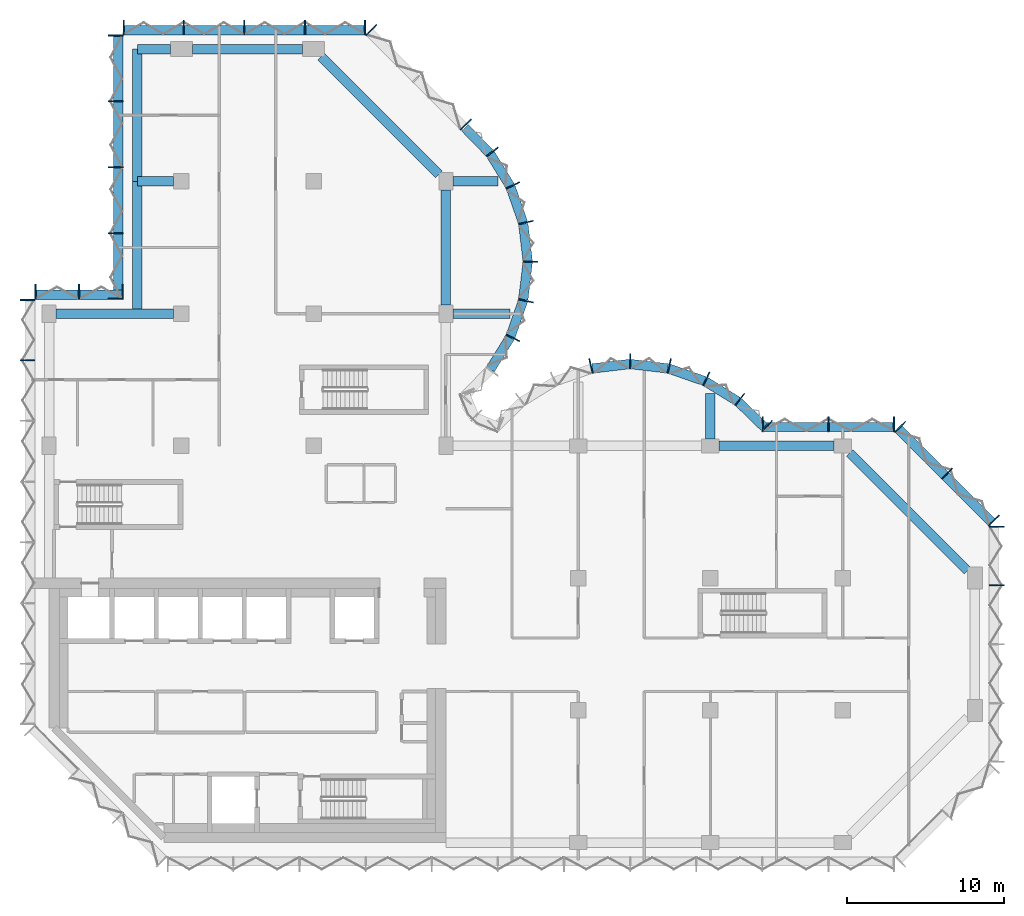
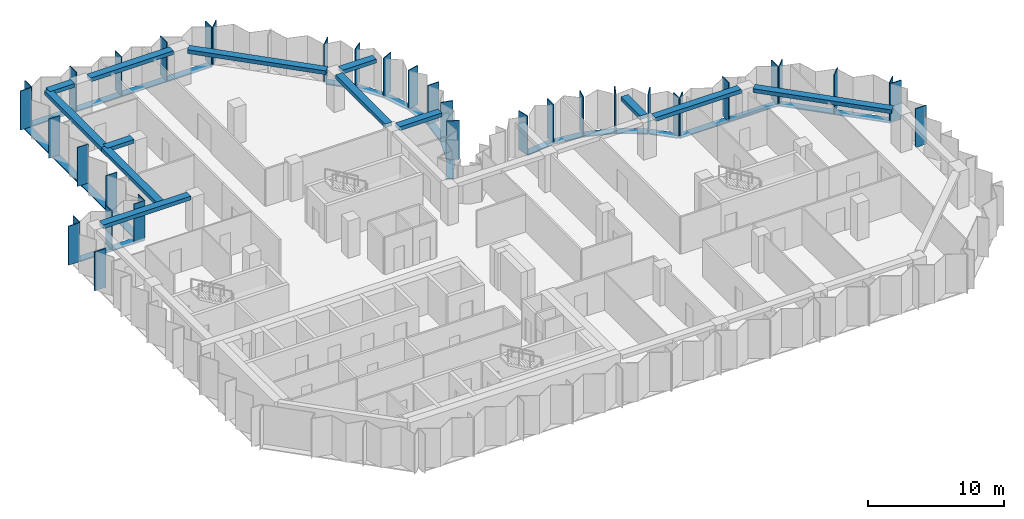
# One storey, part 2 of 10: 54 members, 13 beams, 10 elements without a shape of their own.
"""IFC4 building model written with IfcOpenShell, lengths in metres."""

from ifc_helpers import new_model, si_unit, direction, frame, origin, origin_2d, place, context, subcontext, project, spatial, rectangle, extrude, material, material_profile, profile_set, type_object, element, aggregate, save


model = new_model("IFC4")

# Units and contexts
model_context = context("Model", 3, precision=1e-05, world=origin(), true_north=direction((0.0, 1.0)))
body_context = subcontext(model_context, "Body", "Model", "MODEL_VIEW")
ifc_project = project(units=[si_unit("LENGTHUNIT", "METRE"), si_unit("AREAUNIT", "SQUARE_METRE"), si_unit("VOLUMEUNIT", "CUBIC_METRE"), si_unit("PLANEANGLEUNIT", "RADIAN"), si_unit("MASSUNIT", "GRAM", prefix="KILO")], contexts=[model_context])

# Site, building, storey
site_placement = place(None, origin())
site = spatial("IfcSite", under=ifc_project, at=site_placement, CompositionType="ELEMENT")
building_placement = place(site_placement, origin())
building = spatial("IfcBuilding", under=site, at=building_placement, Name="Brevane Broadcast Tower", CompositionType="ELEMENT")
storey_placement = place(building_placement, frame((0.0, 0.0, 174.0)))
storey = spatial("IfcBuildingStorey", under=building, at=storey_placement, Name="L43", CompositionType="ELEMENT", Elevation=174.0)

# Curtain wall, members
ifc_material_1 = material(Name="Aluminium 6063-T6 bronze anodised", Category="aluminium")
curtain_wall_type = type_object("IfcCurtainWallType", Name="CW-1 curtain wall", PredefinedType="NOTDEFINED", material=ifc_material_1)
curtain_wall_1_placement = place(storey_placement, origin())
curtain_wall_1 = element("IfcCurtainWall", 1, at=curtain_wall_1_placement, inside=storey, type_object=curtain_wall_type, Name="CW-1 typical tilted unit L43 east end", PredefinedType="NOTDEFINED")
ifc_material_profile_1 = material_profile(ifc_material_1, rectangle(XDim=0.949951171875, YDim=0.070068359375, at=origin_2d()), Name="RECT 70x950")
ifc_profile_set_1 = profile_set([ifc_material_profile_1], Name="Aluminium 6063-T6 bronze anodised")
member_type_1 = type_object("IfcMemberType", Name="CW-1 mullion 70x950", PredefinedType="MULLION", material=ifc_profile_set_1)
member_1_placement = place(storey_placement, frame((60.175048828125, 16.35009765625, -0.14990234375), z_axis=(0.0, 0.0, 1.0), x_axis=(-1.0, 0.0, 0.0)))
member_1 = element("IfcMember", 2, at=member_1_placement, type_object=member_type_1, Name="CW-1 mullion", PredefinedType="MULLION", context=body_context, shape_type="SweptSolid", body=[
    extrude(rectangle(XDim=0.949951171875, YDim=0.070068359375, at=origin_2d()), origin(), (0.0, 0.0, 1.0), 3.5),
])
member_2_placement = place(storey_placement, frame((60.175048828125, 20.06494140625, -0.14990234375), z_axis=(0.0, 0.0, 1.0), x_axis=(-1.0, 0.0, 0.0)))
member_2 = element("IfcMember", 3, at=member_2_placement, type_object=member_type_1, Name="CW-1 mullion", PredefinedType="MULLION", context=body_context, shape_type="SweptSolid", body=[
    extrude(rectangle(XDim=0.949951171875, YDim=0.070068359375, at=origin_2d()), origin(), (0.0, 0.0, 1.0), 3.5),
])
aggregate(curtain_wall_1, [member_1, member_2])

curtain_wall_2_placement = place(storey_placement, origin())
curtain_wall_2 = element("IfcCurtainWall", 4, at=curtain_wall_2_placement, inside=storey, type_object=curtain_wall_type, Name="CW-1 typical tilted unit L43 north-east chamfer", PredefinedType="NOTDEFINED")
member_3_placement = place(storey_placement, frame((60.01123046875, 20.460693359375, -0.14990234375), z_axis=(0.0, 0.0, 1.0), x_axis=(-0.707106781187, -0.707106781187, 0.0)))
member_3 = element("IfcMember", 5, at=member_3_placement, type_object=member_type_1, Name="CW-1 mullion", PredefinedType="MULLION", context=body_context, shape_type="SweptSolid", body=[
    extrude(rectangle(XDim=0.949951171875, YDim=0.070068359375, at=origin_2d()), origin(), (0.0, 0.0, 1.0), 3.5),
])
member_4_placement = place(storey_placement, frame((57.035888671875, 23.435791015625, -0.14990234375), z_axis=(0.0, 0.0, 1.0), x_axis=(-0.707106781187, -0.707106781187, 0.0)))
member_4 = element("IfcMember", 6, at=member_4_placement, type_object=member_type_1, Name="CW-1 mullion", PredefinedType="MULLION", context=body_context, shape_type="SweptSolid", body=[
    extrude(rectangle(XDim=0.949951171875, YDim=0.070068359375, at=origin_2d()), origin(), (0.0, 0.0, 1.0), 3.5),
])
member_5_placement = place(storey_placement, frame((54.060546875, 26.4111328125, -0.14990234375), z_axis=(0.0, 0.0, 1.0), x_axis=(-0.707106781187, -0.707106781187, 0.0)))
member_5 = element("IfcMember", 7, at=member_5_placement, type_object=member_type_1, Name="CW-1 mullion", PredefinedType="MULLION", context=body_context, shape_type="SweptSolid", body=[
    extrude(rectangle(XDim=0.949951171875, YDim=0.070068359375, at=origin_2d()), origin(), (0.0, 0.0, 1.0), 3.5),
])

curtain_wall_3_placement = place(storey_placement, origin())
curtain_wall_3 = element("IfcCurtainWall", 8, at=curtain_wall_3_placement, inside=storey, type_object=curtain_wall_type, Name="CW-1 typical tilted unit L43 east arm north face", PredefinedType="NOTDEFINED")
member_6_placement = place(storey_placement, frame((53.6650390625, 26.574951171875, -0.14990234375), z_axis=(0.0, 0.0, 1.0), x_axis=(0.0, -1.0, 0.0)))
member_6 = element("IfcMember", 9, at=member_6_placement, type_object=member_type_1, Name="CW-1 mullion", PredefinedType="MULLION", context=body_context, shape_type="SweptSolid", body=[
    extrude(rectangle(XDim=0.949951171875, YDim=0.070068359375, at=origin_2d()), origin(), (0.0, 0.0, 1.0), 3.5),
])
member_7_placement = place(storey_placement, frame((49.5, 26.574951171875, -0.14990234375), z_axis=(0.0, 0.0, 1.0), x_axis=(0.0, -1.0, 0.0)))
member_7 = element("IfcMember", 10, at=member_7_placement, type_object=member_type_1, Name="CW-1 mullion", PredefinedType="MULLION", context=body_context, shape_type="SweptSolid", body=[
    extrude(rectangle(XDim=0.949951171875, YDim=0.070068359375, at=origin_2d()), origin(), (0.0, 0.0, 1.0), 3.5),
])
member_8_placement = place(storey_placement, frame((45.3349609375, 26.574951171875, -0.14990234375), z_axis=(0.0, 0.0, 1.0), x_axis=(0.0, -1.0, 0.0)))
member_8 = element("IfcMember", 11, at=member_8_placement, type_object=member_type_1, Name="CW-1 mullion", PredefinedType="MULLION", context=body_context, shape_type="SweptSolid", body=[
    extrude(rectangle(XDim=0.949951171875, YDim=0.070068359375, at=origin_2d()), origin(), (0.0, 0.0, 1.0), 3.5),
])

curtain_wall_4_placement = place(storey_placement, origin())
curtain_wall_4 = element("IfcCurtainWall", 12, at=curtain_wall_4_placement, inside=storey, type_object=curtain_wall_type, Name="CW-1 typical tilted unit L43 east bow", PredefinedType="NOTDEFINED")
member_9_placement = place(storey_placement, frame((45.60595703125, 26.465087890625, -0.14990234375), z_axis=(0.0, 0.0, 1.0), x_axis=(-0.696812089895, -0.717253728729, 0.0)))
member_9 = element("IfcMember", 13, at=member_9_placement, type_object=member_type_1, Name="CW-1 mullion", PredefinedType="MULLION", context=body_context, shape_type="SweptSolid", body=[
    extrude(rectangle(XDim=0.949951171875, YDim=0.070068359375, at=origin_2d()), origin(), (0.0, 0.0, 1.0), 3.5),
])
member_10_placement = place(storey_placement, frame((43.8720703125, 28.1455078125, -0.14990234375), z_axis=(0.0, 0.0, 1.0), x_axis=(-0.614769698862, -0.788706673841, 0.0)))
member_10 = element("IfcMember", 14, at=member_10_placement, type_object=member_type_1, Name="CW-1 mullion", PredefinedType="MULLION", context=body_context, shape_type="SweptSolid", body=[
    extrude(rectangle(XDim=0.949951171875, YDim=0.070068359375, at=origin_2d()), origin(), (0.0, 0.0, 1.0), 3.5),
])
member_11_placement = place(storey_placement, frame((41.746826171875, 29.4580078125, -0.14990234375), z_axis=(0.0, 0.0, 1.0), x_axis=(-0.429933580394, -0.902860518823, 0.0)))
member_11 = element("IfcMember", 15, at=member_11_placement, type_object=member_type_1, Name="CW-1 mullion", PredefinedType="MULLION", context=body_context, shape_type="SweptSolid", body=[
    extrude(rectangle(XDim=0.949951171875, YDim=0.070068359375, at=origin_2d()), origin(), (0.0, 0.0, 1.0), 3.5),
])
member_12_placement = place(storey_placement, frame((39.38818359375, 30.28076171875, -0.14990234375), z_axis=(0.0, 0.0, 1.0), x_axis=(-0.224806535479, -0.974403418306, 0.0)))
member_12 = element("IfcMember", 16, at=member_12_placement, type_object=member_type_1, Name="CW-1 mullion", PredefinedType="MULLION", context=body_context, shape_type="SweptSolid", body=[
    extrude(rectangle(XDim=0.949951171875, YDim=0.070068359375, at=origin_2d()), origin(), (0.0, 0.0, 1.0), 3.5),
])
member_13_placement = place(storey_placement, frame((36.89990234375, 30.574951171875, -0.14990234375), z_axis=(0.0, 0.0, 1.0), x_axis=(0.0, -1.0, 0.0)))
member_13 = element("IfcMember", 17, at=member_13_placement, type_object=member_type_1, Name="CW-1 mullion", PredefinedType="MULLION", context=body_context, shape_type="SweptSolid", body=[
    extrude(rectangle(XDim=0.949951171875, YDim=0.070068359375, at=origin_2d()), origin(), (0.0, 0.0, 1.0), 3.5),
])
member_14_placement = place(storey_placement, frame((34.411865234375, 30.28076171875, -0.14990234375), z_axis=(0.0, 0.0, 1.0), x_axis=(0.224806535479, -0.974403418306, 0.0)))
member_14 = element("IfcMember", 18, at=member_14_placement, type_object=member_type_1, Name="CW-1 mullion", PredefinedType="MULLION", context=body_context, shape_type="SweptSolid", body=[
    extrude(rectangle(XDim=0.949951171875, YDim=0.070068359375, at=origin_2d()), origin(), (0.0, 0.0, 1.0), 3.5),
])

curtain_wall_5_placement = place(storey_placement, origin())
curtain_wall_5 = element("IfcCurtainWall", 19, at=curtain_wall_5_placement, inside=storey, type_object=curtain_wall_type, Name="CW-1 typical tilted unit L43 north bow", PredefinedType="NOTDEFINED")
member_15_placement = place(storey_placement, frame((29.4580078125, 32.05322265625, -0.14990234375), z_axis=(0.0, 0.0, 1.0), x_axis=(-0.902860518823, 0.429933580394, 0.0)))
member_15 = element("IfcMember", 20, at=member_15_placement, type_object=member_type_1, Name="CW-1 mullion", PredefinedType="MULLION", context=body_context, shape_type="SweptSolid", body=[
    extrude(rectangle(XDim=0.949951171875, YDim=0.070068359375, at=origin_2d()), origin(), (0.0, 0.0, 1.0), 3.5),
])
member_16_placement = place(storey_placement, frame((30.28076171875, 34.411865234375, -0.14990234375), z_axis=(0.0, 0.0, 1.0), x_axis=(-0.974403418306, 0.224806535479, 0.0)))
member_16 = element("IfcMember", 21, at=member_16_placement, type_object=member_type_1, Name="CW-1 mullion", PredefinedType="MULLION", context=body_context, shape_type="SweptSolid", body=[
    extrude(rectangle(XDim=0.949951171875, YDim=0.070068359375, at=origin_2d()), origin(), (0.0, 0.0, 1.0), 3.5),
])
member_17_placement = place(storey_placement, frame((30.574951171875, 36.89990234375, -0.14990234375), z_axis=(0.0, 0.0, 1.0), x_axis=(-1.0, 0.0, 0.0)))
member_17 = element("IfcMember", 22, at=member_17_placement, type_object=member_type_1, Name="CW-1 mullion", PredefinedType="MULLION", context=body_context, shape_type="SweptSolid", body=[
    extrude(rectangle(XDim=0.949951171875, YDim=0.070068359375, at=origin_2d()), origin(), (0.0, 0.0, 1.0), 3.5),
])
member_18_placement = place(storey_placement, frame((30.28076171875, 39.38818359375, -0.14990234375), z_axis=(0.0, 0.0, 1.0), x_axis=(-0.974403418306, -0.224806535479, 0.0)))
member_18 = element("IfcMember", 23, at=member_18_placement, type_object=member_type_1, Name="CW-1 mullion", PredefinedType="MULLION", context=body_context, shape_type="SweptSolid", body=[
    extrude(rectangle(XDim=0.949951171875, YDim=0.070068359375, at=origin_2d()), origin(), (0.0, 0.0, 1.0), 3.5),
])
member_19_placement = place(storey_placement, frame((29.4580078125, 41.746826171875, -0.14990234375), z_axis=(0.0, 0.0, 1.0), x_axis=(-0.902860518823, -0.429933580394, 0.0)))
member_19 = element("IfcMember", 24, at=member_19_placement, type_object=member_type_1, Name="CW-1 mullion", PredefinedType="MULLION", context=body_context, shape_type="SweptSolid", body=[
    extrude(rectangle(XDim=0.949951171875, YDim=0.070068359375, at=origin_2d()), origin(), (0.0, 0.0, 1.0), 3.5),
])
member_20_placement = place(storey_placement, frame((28.1455078125, 43.8720703125, -0.14990234375), z_axis=(0.0, 0.0, 1.0), x_axis=(-0.788706673841, -0.614769698862, 0.0)))
member_20 = element("IfcMember", 25, at=member_20_placement, type_object=member_type_1, Name="CW-1 mullion", PredefinedType="MULLION", context=body_context, shape_type="SweptSolid", body=[
    extrude(rectangle(XDim=0.949951171875, YDim=0.070068359375, at=origin_2d()), origin(), (0.0, 0.0, 1.0), 3.5),
])
member_21_placement = place(storey_placement, frame((26.465087890625, 45.60595703125, -0.14990234375), z_axis=(0.0, 0.0, 1.0), x_axis=(-0.717253728729, -0.696812089895, 0.0)))
member_21 = element("IfcMember", 26, at=member_21_placement, type_object=member_type_1, Name="CW-1 mullion", PredefinedType="MULLION", context=body_context, shape_type="SweptSolid", body=[
    extrude(rectangle(XDim=0.949951171875, YDim=0.070068359375, at=origin_2d()), origin(), (0.0, 0.0, 1.0), 3.5),
])

# Curtain wall, member
curtain_wall_6_placement = place(storey_placement, origin())
curtain_wall_6 = element("IfcCurtainWall", 27, at=curtain_wall_6_placement, inside=storey, type_object=curtain_wall_type, Name="CW-1 typical tilted unit L43 north arm north-east chamfer", PredefinedType="NOTDEFINED")
member_22_placement = place(storey_placement, frame((20.460693359375, 51.611083984375, -0.14990234375), z_axis=(0.0, 0.0, 1.0), x_axis=(-0.707106781187, -0.707106781187, 0.0)))
member_22 = element("IfcMember", 28, at=member_22_placement, type_object=member_type_1, Name="CW-1 mullion", PredefinedType="MULLION", context=body_context, shape_type="SweptSolid", body=[
    extrude(rectangle(XDim=0.949951171875, YDim=0.070068359375, at=origin_2d()), origin(), (0.0, 0.0, 1.0), 3.5),
])
aggregate(curtain_wall_6, [member_22])

# Curtain wall, members
curtain_wall_7_placement = place(storey_placement, origin())
curtain_wall_7 = element("IfcCurtainWall", 29, at=curtain_wall_7_placement, inside=storey, type_object=curtain_wall_type, Name="CW-1 typical tilted unit L43 north end", PredefinedType="NOTDEFINED")
member_23_placement = place(storey_placement, frame((20.06494140625, 51.77490234375, -0.14990234375), z_axis=(0.0, 0.0, 1.0), x_axis=(0.0, -1.0, 0.0)))
member_23 = element("IfcMember", 30, at=member_23_placement, type_object=member_type_1, Name="CW-1 mullion", PredefinedType="MULLION", context=body_context, shape_type="SweptSolid", body=[
    extrude(rectangle(XDim=0.949951171875, YDim=0.070068359375, at=origin_2d()), origin(), (0.0, 0.0, 1.0), 3.5),
])
member_24_placement = place(storey_placement, frame((16.25, 51.77490234375, -0.14990234375), z_axis=(0.0, 0.0, 1.0), x_axis=(0.0, -1.0, 0.0)))
member_24 = element("IfcMember", 31, at=member_24_placement, type_object=member_type_1, Name="CW-1 mullion", PredefinedType="MULLION", context=body_context, shape_type="SweptSolid", body=[
    extrude(rectangle(XDim=0.949951171875, YDim=0.070068359375, at=origin_2d()), origin(), (0.0, 0.0, 1.0), 3.5),
])
member_25_placement = place(storey_placement, frame((12.39990234375, 51.77490234375, -0.14990234375), z_axis=(0.0, 0.0, 1.0), x_axis=(0.0, -1.0, 0.0)))
member_25 = element("IfcMember", 32, at=member_25_placement, type_object=member_type_1, Name="CW-1 mullion", PredefinedType="MULLION", context=body_context, shape_type="SweptSolid", body=[
    extrude(rectangle(XDim=0.949951171875, YDim=0.070068359375, at=origin_2d()), origin(), (0.0, 0.0, 1.0), 3.5),
])
member_26_placement = place(storey_placement, frame((8.550048828125, 51.77490234375, -0.14990234375), z_axis=(0.0, 0.0, 1.0), x_axis=(0.0, -1.0, 0.0)))
member_26 = element("IfcMember", 33, at=member_26_placement, type_object=member_type_1, Name="CW-1 mullion", PredefinedType="MULLION", context=body_context, shape_type="SweptSolid", body=[
    extrude(rectangle(XDim=0.949951171875, YDim=0.070068359375, at=origin_2d()), origin(), (0.0, 0.0, 1.0), 3.5),
])
member_27_placement = place(storey_placement, frame((4.735107421875, 51.77490234375, -0.14990234375), z_axis=(0.0, 0.0, 1.0), x_axis=(0.0, -1.0, 0.0)))
member_27 = element("IfcMember", 34, at=member_27_placement, type_object=member_type_1, Name="CW-1 mullion", PredefinedType="MULLION", context=body_context, shape_type="SweptSolid", body=[
    extrude(rectangle(XDim=0.949951171875, YDim=0.070068359375, at=origin_2d()), origin(), (0.0, 0.0, 1.0), 3.5),
])

curtain_wall_8_placement = place(storey_placement, origin())
curtain_wall_8 = element("IfcCurtainWall", 35, at=curtain_wall_8_placement, inside=storey, type_object=curtain_wall_type, Name="CW-1 typical tilted unit L43 north wing west face, lower block", PredefinedType="NOTDEFINED")
member_28_placement = place(storey_placement, frame((4.22509765625, 51.264892578125, -0.14990234375), z_axis=(0.0, 0.0, 1.0), x_axis=(1.0, 0.0, 0.0)))
member_28 = element("IfcMember", 36, at=member_28_placement, type_object=member_type_1, Name="CW-1 mullion", PredefinedType="MULLION", context=body_context, shape_type="SweptSolid", body=[
    extrude(rectangle(XDim=0.949951171875, YDim=0.070068359375, at=origin_2d()), origin(), (0.0, 0.0, 1.0), 3.5),
])
member_29_placement = place(storey_placement, frame((4.22509765625, 47.10009765625, -0.14990234375), z_axis=(0.0, 0.0, 1.0), x_axis=(1.0, 0.0, 0.0)))
member_29 = element("IfcMember", 37, at=member_29_placement, type_object=member_type_1, Name="CW-1 mullion", PredefinedType="MULLION", context=body_context, shape_type="SweptSolid", body=[
    extrude(rectangle(XDim=0.949951171875, YDim=0.070068359375, at=origin_2d()), origin(), (0.0, 0.0, 1.0), 3.5),
])
member_30_placement = place(storey_placement, frame((4.22509765625, 42.89990234375, -0.14990234375), z_axis=(0.0, 0.0, 1.0), x_axis=(1.0, 0.0, 0.0)))
member_30 = element("IfcMember", 38, at=member_30_placement, type_object=member_type_1, Name="CW-1 mullion", PredefinedType="MULLION", context=body_context, shape_type="SweptSolid", body=[
    extrude(rectangle(XDim=0.949951171875, YDim=0.070068359375, at=origin_2d()), origin(), (0.0, 0.0, 1.0), 3.5),
])
member_31_placement = place(storey_placement, frame((4.22509765625, 38.699951171875, -0.14990234375), z_axis=(0.0, 0.0, 1.0), x_axis=(1.0, 0.0, 0.0)))
member_31 = element("IfcMember", 39, at=member_31_placement, type_object=member_type_1, Name="CW-1 mullion", PredefinedType="MULLION", context=body_context, shape_type="SweptSolid", body=[
    extrude(rectangle(XDim=0.949951171875, YDim=0.070068359375, at=origin_2d()), origin(), (0.0, 0.0, 1.0), 3.5),
])
member_32_placement = place(storey_placement, frame((4.22509765625, 34.534912109375, -0.14990234375), z_axis=(0.0, 0.0, 1.0), x_axis=(1.0, 0.0, 0.0)))
member_32 = element("IfcMember", 40, at=member_32_placement, type_object=member_type_1, Name="CW-1 mullion", PredefinedType="MULLION", context=body_context, shape_type="SweptSolid", body=[
    extrude(rectangle(XDim=0.949951171875, YDim=0.070068359375, at=origin_2d()), origin(), (0.0, 0.0, 1.0), 3.5),
])

curtain_wall_9_placement = place(storey_placement, origin())
curtain_wall_9 = element("IfcCurtainWall", 41, at=curtain_wall_9_placement, inside=storey, type_object=curtain_wall_type, Name="CW-1 typical tilted unit L43 north wing west return, lower block", PredefinedType="NOTDEFINED")
member_33_placement = place(storey_placement, frame((4.6650390625, 34.97509765625, -0.14990234375), z_axis=(0.0, 0.0, 1.0), x_axis=(0.0, -1.0, 0.0)))
member_33 = element("IfcMember", 42, at=member_33_placement, type_object=member_type_1, Name="CW-1 mullion", PredefinedType="MULLION", context=body_context, shape_type="SweptSolid", body=[
    extrude(rectangle(XDim=0.949951171875, YDim=0.070068359375, at=origin_2d()), origin(), (0.0, 0.0, 1.0), 3.5),
])
member_34_placement = place(storey_placement, frame((1.89990234375, 34.97509765625, -0.14990234375), z_axis=(0.0, 0.0, 1.0), x_axis=(0.0, -1.0, 0.0)))
member_34 = element("IfcMember", 43, at=member_34_placement, type_object=member_type_1, Name="CW-1 mullion", PredefinedType="MULLION", context=body_context, shape_type="SweptSolid", body=[
    extrude(rectangle(XDim=0.949951171875, YDim=0.070068359375, at=origin_2d()), origin(), (0.0, 0.0, 1.0), 3.5),
])
member_35_placement = place(storey_placement, frame((-0.864990234375, 34.97509765625, -0.14990234375), z_axis=(0.0, 0.0, 1.0), x_axis=(0.0, -1.0, 0.0)))
member_35 = element("IfcMember", 44, at=member_35_placement, type_object=member_type_1, Name="CW-1 mullion", PredefinedType="MULLION", context=body_context, shape_type="SweptSolid", body=[
    extrude(rectangle(XDim=0.949951171875, YDim=0.070068359375, at=origin_2d()), origin(), (0.0, 0.0, 1.0), 3.5),
])

curtain_wall_10_placement = place(storey_placement, origin())
curtain_wall_10 = element("IfcCurtainWall", 45, at=curtain_wall_10_placement, inside=storey, type_object=curtain_wall_type, Name="CW-1 typical tilted unit L43 west face", PredefinedType="NOTDEFINED")
member_36_placement = place(storey_placement, frame((-1.375, 34.465087890625, -0.14990234375), z_axis=(0.0, 0.0, 1.0), x_axis=(1.0, 0.0, 0.0)))
member_36 = element("IfcMember", 46, at=member_36_placement, type_object=member_type_1, Name="CW-1 mullion", PredefinedType="MULLION", context=body_context, shape_type="SweptSolid", body=[
    extrude(rectangle(XDim=0.949951171875, YDim=0.070068359375, at=origin_2d()), origin(), (0.0, 0.0, 1.0), 3.5),
])
member_37_placement = place(storey_placement, frame((-1.375, 30.642822265625, -0.14990234375), z_axis=(0.0, 0.0, 1.0), x_axis=(1.0, 0.0, 0.0)))
member_37 = element("IfcMember", 47, at=member_37_placement, type_object=member_type_1, Name="CW-1 mullion", PredefinedType="MULLION", context=body_context, shape_type="SweptSolid", body=[
    extrude(rectangle(XDim=0.949951171875, YDim=0.070068359375, at=origin_2d()), origin(), (0.0, 0.0, 1.0), 3.5),
])
aggregate(curtain_wall_10, [member_36, member_37])

# Member
ifc_material_profile_2 = material_profile(ifc_material_1, rectangle(XDim=0.60009765625, YDim=0.10009765625, at=origin_2d()), Name="RECT 100x600")
ifc_profile_set_2 = profile_set([ifc_material_profile_2], Name="Aluminium 6063-T6 bronze anodised")
member_type_2 = type_object("IfcMemberType", Name="CW-1 transom 100x600", PredefinedType="USERDEFINED", material=ifc_profile_set_2)
member_38_placement = place(storey_placement, frame((59.912109375, 20.31201171875, -0.199951171875), z_axis=(-0.707106781187, 0.707106781187, 0.0), x_axis=(-0.707106781187, -0.707106781187, 0.0)))
member_38 = element("IfcMember", 48, at=member_38_placement, type_object=member_type_2, Name="CW-1 transom", ObjectType="TRANSOM", PredefinedType="USERDEFINED", context=body_context, shape_type="SweptSolid", body=[
    extrude(rectangle(XDim=0.60009765625, YDim=0.10009765625, at=origin_2d()), origin(), (0.0, 0.0, 1.0), 8.4853515625),
])

aggregate(curtain_wall_2, [member_3, member_4, member_5, member_38])

member_39_placement = place(storey_placement, frame((53.699951171875, 26.39990234375, -0.199951171875), z_axis=(-1.0, 0.0, 0.0), x_axis=(0.0, -1.0, 0.0)))
member_39 = element("IfcMember", 49, at=member_39_placement, type_object=member_type_2, Name="CW-1 transom", ObjectType="TRANSOM", PredefinedType="USERDEFINED", context=body_context, shape_type="SweptSolid", body=[
    extrude(rectangle(XDim=0.60009765625, YDim=0.10009765625, at=origin_2d()), origin(), (0.0, 0.0, 1.0), 8.39990234375),
])

aggregate(curtain_wall_3, [member_6, member_7, member_8, member_39])

member_40_placement = place(storey_placement, frame((45.412841796875, 26.407958984375, -0.199951171875), z_axis=(-0.71724215871, 0.696823999134, 0.0), x_axis=(-0.696823999134, -0.71724215871, 0.0)))
member_40 = element("IfcMember", 50, at=member_40_placement, type_object=member_type_2, Name="CW-1 transom", ObjectType="TRANSOM", PredefinedType="USERDEFINED", context=body_context, shape_type="SweptSolid", body=[
    extrude(rectangle(XDim=0.60009765625, YDim=0.10009765625, at=origin_2d()), origin(), (0.0, 0.0, 1.0), 2.247802734375),
])

member_41_placement = place(storey_placement, frame((43.7421875, 28.023193359375, -0.199951171875), z_axis=(-0.850810063131, 0.525473345162, 0.0), x_axis=(-0.525473345162, -0.850810063131, 0.0)))
member_41 = element("IfcMember", 51, at=member_41_placement, type_object=member_type_2, Name="CW-1 transom", ObjectType="TRANSOM", PredefinedType="USERDEFINED", context=body_context, shape_type="SweptSolid", body=[
    extrude(rectangle(XDim=0.60009765625, YDim=0.10009765625, at=origin_2d()), origin(), (0.0, 0.0, 1.0), 2.39453125),
])

member_42_placement = place(storey_placement, frame((41.63623046875, 29.314208984375, -0.199951171875), z_axis=(-0.944197969542, 0.329378497041, 0.0), x_axis=(-0.329378497041, -0.944197969542, 0.0)))
member_42 = element("IfcMember", 52, at=member_42_placement, type_object=member_type_2, Name="CW-1 transom", ObjectType="TRANSOM", PredefinedType="USERDEFINED", context=body_context, shape_type="SweptSolid", body=[
    extrude(rectangle(XDim=0.60009765625, YDim=0.10009765625, at=origin_2d()), origin(), (0.0, 0.0, 1.0), 2.394775390625),
])

member_43_placement = place(storey_placement, frame((39.30029296875, 30.117431640625, -0.199951171875), z_axis=(-0.993062061831, 0.117591417, 0.0), x_axis=(-0.117591417, -0.993062061831, 0.0)))
member_43 = element("IfcMember", 53, at=member_43_placement, type_object=member_type_2, Name="CW-1 transom", ObjectType="TRANSOM", PredefinedType="USERDEFINED", context=body_context, shape_type="SweptSolid", body=[
    extrude(rectangle(XDim=0.60009765625, YDim=0.10009765625, at=origin_2d()), origin(), (0.0, 0.0, 1.0), 2.39794921875),
])

member_44_placement = place(storey_placement, frame((36.880859375, 30.3994140625, -0.199951171875), z_axis=(-0.993060653805, -0.117603307202, 0.0), x_axis=(0.117603307202, -0.993060653805, 0.0)))
member_44 = element("IfcMember", 54, at=member_44_placement, type_object=member_type_2, Name="CW-1 transom", ObjectType="TRANSOM", PredefinedType="USERDEFINED", context=body_context, shape_type="SweptSolid", body=[
    extrude(rectangle(XDim=0.60009765625, YDim=0.10009765625, at=origin_2d()), origin(), (0.0, 0.0, 1.0), 2.397705078125),
])

aggregate(curtain_wall_4, [member_9, member_10, member_11, member_12, member_13, member_14, member_40, member_41, member_42, member_43, member_44])

member_45_placement = place(storey_placement, frame((28.023193359375, 30.0576171875, -0.199951171875), z_axis=(0.525427766759, 0.850838211365, 0.0), x_axis=(-0.850838211365, 0.525427766759, 0.0)))
member_45 = element("IfcMember", 55, at=member_45_placement, type_object=member_type_2, Name="CW-1 transom", ObjectType="TRANSOM", PredefinedType="USERDEFINED", context=body_context, shape_type="SweptSolid", body=[
    extrude(rectangle(XDim=0.60009765625, YDim=0.10009765625, at=origin_2d()), origin(), (0.0, 0.0, 1.0), 2.394775390625),
])

member_46_placement = place(storey_placement, frame((29.314208984375, 32.163818359375, -0.199951171875), z_axis=(0.329378497041, 0.944197969542, 0.0), x_axis=(-0.944197969542, 0.329378497041, 0.0)))
member_46 = element("IfcMember", 56, at=member_46_placement, type_object=member_type_2, Name="CW-1 transom", ObjectType="TRANSOM", PredefinedType="USERDEFINED", context=body_context, shape_type="SweptSolid", body=[
    extrude(rectangle(XDim=0.60009765625, YDim=0.10009765625, at=origin_2d()), origin(), (0.0, 0.0, 1.0), 2.394775390625),
])

member_47_placement = place(storey_placement, frame((30.117431640625, 34.499755859375, -0.199951171875), z_axis=(0.117603307202, 0.993060653805, 0.0), x_axis=(-0.993060653805, 0.117603307202, 0.0)))
member_47 = element("IfcMember", 57, at=member_47_placement, type_object=member_type_2, Name="CW-1 transom", ObjectType="TRANSOM", PredefinedType="USERDEFINED", context=body_context, shape_type="SweptSolid", body=[
    extrude(rectangle(XDim=0.60009765625, YDim=0.10009765625, at=origin_2d()), origin(), (0.0, 0.0, 1.0), 2.397705078125),
])

member_48_placement = place(storey_placement, frame((30.3994140625, 36.9189453125, -0.199951171875), z_axis=(-0.117591417, 0.993062061831, 0.0), x_axis=(-0.993062061831, -0.117591417, 0.0)))
member_48 = element("IfcMember", 58, at=member_48_placement, type_object=member_type_2, Name="CW-1 transom", ObjectType="TRANSOM", PredefinedType="USERDEFINED", context=body_context, shape_type="SweptSolid", body=[
    extrude(rectangle(XDim=0.60009765625, YDim=0.10009765625, at=origin_2d()), origin(), (0.0, 0.0, 1.0), 2.39794921875),
])

member_49_placement = place(storey_placement, frame((30.10302734375, 39.375, -0.199951171875), z_axis=(-0.329378497041, 0.944197969542, 0.0), x_axis=(-0.944197969542, -0.329378497041, 0.0)))
member_49 = element("IfcMember", 59, at=member_49_placement, type_object=member_type_2, Name="CW-1 transom", ObjectType="TRANSOM", PredefinedType="USERDEFINED", context=body_context, shape_type="SweptSolid", body=[
    extrude(rectangle(XDim=0.60009765625, YDim=0.10009765625, at=origin_2d()), origin(), (0.0, 0.0, 1.0), 2.394775390625),
])

member_50_placement = place(storey_placement, frame((29.281494140625, 41.704833984375, -0.199951171875), z_axis=(-0.525473345162, 0.850810063131, 0.0), x_axis=(-0.850810063131, -0.525473345162, 0.0)))
member_50 = element("IfcMember", 60, at=member_50_placement, type_object=member_type_2, Name="CW-1 transom", ObjectType="TRANSOM", PredefinedType="USERDEFINED", context=body_context, shape_type="SweptSolid", body=[
    extrude(rectangle(XDim=0.60009765625, YDim=0.10009765625, at=origin_2d()), origin(), (0.0, 0.0, 1.0), 2.39453125),
])

member_51_placement = place(storey_placement, frame((27.974365234375, 43.800537109375, -0.199951171875), z_axis=(-0.696823999134, 0.71724215871, 0.0), x_axis=(-0.71724215871, -0.696823999134, 0.0)))
member_51 = element("IfcMember", 61, at=member_51_placement, type_object=member_type_2, Name="CW-1 transom", ObjectType="TRANSOM", PredefinedType="USERDEFINED", context=body_context, shape_type="SweptSolid", body=[
    extrude(rectangle(XDim=0.60009765625, YDim=0.10009765625, at=origin_2d()), origin(), (0.0, 0.0, 1.0), 2.247802734375),
])

aggregate(curtain_wall_5, [member_15, member_16, member_17, member_18, member_19, member_20, member_21, member_45, member_46, member_47, member_48, member_49, member_50, member_51])

member_52_placement = place(storey_placement, frame((20.10009765625, 51.60009765625, -0.199951171875), z_axis=(-1.0, 0.0, 0.0), x_axis=(0.0, -1.0, 0.0)))
member_52 = element("IfcMember", 62, at=member_52_placement, type_object=member_type_2, Name="CW-1 transom", ObjectType="TRANSOM", PredefinedType="USERDEFINED", context=body_context, shape_type="SweptSolid", body=[
    extrude(rectangle(XDim=0.60009765625, YDim=0.10009765625, at=origin_2d()), origin(), (0.0, 0.0, 1.0), 15.400146484375),
])

aggregate(curtain_wall_7, [member_23, member_24, member_25, member_26, member_27, member_52])

member_53_placement = place(storey_placement, frame((4.39990234375, 51.300048828125, -0.199951171875), z_axis=(0.0, -1.0, 0.0), x_axis=(1.0, 0.0, 0.0)))
member_53 = element("IfcMember", 63, at=member_53_placement, type_object=member_type_2, Name="CW-1 transom", ObjectType="TRANSOM", PredefinedType="USERDEFINED", context=body_context, shape_type="SweptSolid", body=[
    extrude(rectangle(XDim=0.60009765625, YDim=0.10009765625, at=origin_2d()), origin(), (0.0, 0.0, 1.0), 16.800048828125),
])

aggregate(curtain_wall_8, [member_28, member_29, member_30, member_31, member_32, member_53])

member_54_placement = place(storey_placement, frame((4.699951171875, 34.800048828125, -0.199951171875), z_axis=(-1.0, 0.0, 0.0), x_axis=(0.0, -1.0, 0.0)))
member_54 = element("IfcMember", 64, at=member_54_placement, type_object=member_type_2, Name="CW-1 transom", ObjectType="TRANSOM", PredefinedType="USERDEFINED", context=body_context, shape_type="SweptSolid", body=[
    extrude(rectangle(XDim=0.60009765625, YDim=0.10009765625, at=origin_2d()), origin(), (0.0, 0.0, 1.0), 5.599853515625),
])

aggregate(curtain_wall_9, [member_33, member_34, member_35, member_54])

# Beams
ifc_material_2 = material(Name="Concrete C40/50", Category="concrete")
ifc_material_profile_3 = material_profile(ifc_material_2, rectangle(XDim=0.60009765625, YDim=0.35009765625, at=origin_2d()), Name="RC 600x350")
ifc_profile_set_3 = profile_set([ifc_material_profile_3], Name="Concrete C40/50")
beam_type_1 = type_object("IfcBeamType", Name="RC BRACKET BEAM 600x350 C40/50", PredefinedType="BEAM", material=ifc_profile_set_3)
beam_1_placement = place(storey_placement, frame((25.64990234375, 33.60009765625, 3.175048828125), z_axis=(1.0, 0.0, 0.0), x_axis=(0.0, 1.0, 0.0)))
element("IfcBeam", 65, at=beam_1_placement, inside=storey, type_object=beam_type_1, Name="EB2 L43-1", PredefinedType="BEAM", context=body_context, shape_type="SweptSolid", body=[
    extrude(rectangle(XDim=0.60009765625, YDim=0.35009765625, at=origin_2d()), origin(), (0.0, 0.0, 1.0), 3.612060546875),
])
for number, where, z_axis, x_axis, name in (
    (66, (25.64990234375, 42.0, 3.175048828125), (1.0, 0.0, 0.0), (0.0, 1.0, 0.0), "EB2 L43-2"),
    (67, (42.0, 25.64990234375, 3.175048828125), (0.0, 1.0, 0.0), (-1.0, 0.0, 0.0), "EB2 L43-4"),
):
    element("IfcBeam", number, at=place(storey_placement, frame(where, z_axis=z_axis, x_axis=x_axis)), inside=storey, type_object=beam_type_1, Name=name, PredefinedType="BEAM", context=body_context, shape_type="SweptSolid", body=[
        extrude(rectangle(XDim=0.60009765625, YDim=0.35009765625, at=origin_2d()), origin(), (0.0, 0.0, 1.0), 2.861572265625),
    ])
beam_2_placement = place(storey_placement, frame((7.89990234375, 42.0, 3.175048828125), z_axis=(-1.0, 0.0, 0.0), x_axis=(0.0, -1.0, 0.0)))
element("IfcBeam", 68, at=beam_2_placement, inside=storey, type_object=beam_type_1, Name="EB2 L43-5", PredefinedType="BEAM", context=body_context, shape_type="SweptSolid", body=[
    extrude(rectangle(XDim=0.60009765625, YDim=0.35009765625, at=origin_2d()), origin(), (0.0, 0.0, 1.0), 2.2998046875),
])
ifc_material_profile_4 = material_profile(ifc_material_2, rectangle(XDim=0.60009765625, YDim=0.35009765625, at=origin_2d()), Name="RC 600x350")
ifc_profile_set_4 = profile_set([ifc_material_profile_4], Name="Concrete C40/50")
beam_type_2 = type_object("IfcBeamType", Name="RC SPANDREL BEAM 600x350 C40/50", PredefinedType="SPANDREL", material=ifc_profile_set_4)
beam_3_placement = place(storey_placement, frame((58.324951171875, 17.27490234375, 3.175048828125), z_axis=(-0.707095233664, 0.707118328521, 0.0), x_axis=(-0.707118328521, -0.707095233664, 0.0)))
element("IfcBeam", 69, at=beam_3_placement, inside=storey, type_object=beam_type_2, Name="EB1 L43-6", PredefinedType="SPANDREL", context=body_context, shape_type="SweptSolid", body=[
    extrude(rectangle(XDim=0.60009765625, YDim=0.35009765625, at=origin_2d()), origin(), (0.0, 0.0, 1.0), 10.5712890625),
])
for number, where, z_axis, x_axis, name in (
    (70, (49.85009765625, 25.199951171875, 3.175048828125), (-1.0, 0.0, 0.0), (0.0, -1.0, 0.0), "EB1 L43-7"),
    (71, (25.199951171875, 34.14990234375, 3.175048828125), (0.0, 1.0, 0.0), (-1.0, 0.0, 0.0), "EB1 L43-11"),
):
    element("IfcBeam", number, at=place(storey_placement, frame(where, z_axis=z_axis, x_axis=x_axis)), inside=storey, type_object=beam_type_2, Name=name, PredefinedType="SPANDREL", context=body_context, shape_type="SweptSolid", body=[
        extrude(rectangle(XDim=0.60009765625, YDim=0.35009765625, at=origin_2d()), origin(), (0.0, 0.0, 1.0), 7.300048828125),
    ])
beam_4_placement = place(storey_placement, frame((24.75, 42.449951171875, 3.175048828125), z_axis=(-0.707106781187, 0.707106781187, 0.0), x_axis=(-0.707106781187, -0.707106781187, 0.0)))
element("IfcBeam", 72, at=beam_4_placement, inside=storey, type_object=beam_type_2, Name="EB1 L43-12", PredefinedType="SPANDREL", context=body_context, shape_type="SweptSolid", body=[
    extrude(rectangle(XDim=0.60009765625, YDim=0.35009765625, at=origin_2d()), origin(), (0.0, 0.0, 1.0), 10.5712890625),
])
beam_5_placement = place(storey_placement, frame((16.10009765625, 50.39990234375, 3.175048828125), z_axis=(-1.0, 0.0, 0.0), x_axis=(0.0, -1.0, 0.0)))
element("IfcBeam", 73, at=beam_5_placement, inside=storey, type_object=beam_type_2, Name="EB1 L43-13", PredefinedType="SPANDREL", context=body_context, shape_type="SweptSolid", body=[
    extrude(rectangle(XDim=0.60009765625, YDim=0.35009765625, at=origin_2d()), origin(), (0.0, 0.0, 1.0), 7.0),
])
beam_6_placement = place(storey_placement, frame((0.449951171875, 33.60009765625, 3.175048828125), z_axis=(1.0, 0.0, 0.0), x_axis=(0.0, 1.0, 0.0)))
element("IfcBeam", 74, at=beam_6_placement, inside=storey, type_object=beam_type_2, Name="EB1 L43-16", PredefinedType="SPANDREL", context=body_context, shape_type="SweptSolid", body=[
    extrude(rectangle(XDim=0.60009765625, YDim=0.35009765625, at=origin_2d()), origin(), (0.0, 0.0, 1.0), 7.449951171875),
])
for number, where, z_axis, x_axis, name in (
    (75, (5.60009765625, 33.60009765625, 3.175048828125), (0.0, 1.0, 0.0), (-1.0, 0.0, 0.0), "EB1 L43-17"),
    (76, (5.60009765625, 42.0, 3.175048828125), (0.0, 1.0, 0.0), (-1.0, 0.0, 0.0), "EB1 L43-18"),
):
    element("IfcBeam", number, at=place(storey_placement, frame(where, z_axis=z_axis, x_axis=x_axis)), inside=storey, type_object=beam_type_2, Name=name, PredefinedType="SPANDREL", context=body_context, shape_type="SweptSolid", body=[
        extrude(rectangle(XDim=0.60009765625, YDim=0.35009765625, at=origin_2d()), origin(), (0.0, 0.0, 1.0), 8.39990234375),
    ])
beam_7_placement = place(storey_placement, frame((5.60009765625, 50.39990234375, 3.175048828125), z_axis=(1.0, 0.0, 0.0), x_axis=(0.0, 1.0, 0.0)))
element("IfcBeam", 77, at=beam_7_placement, inside=storey, type_object=beam_type_2, Name="EB1 L43-19", PredefinedType="SPANDREL", context=body_context, shape_type="SweptSolid", body=[
    extrude(rectangle(XDim=0.60009765625, YDim=0.35009765625, at=origin_2d()), origin(), (0.0, 0.0, 1.0), 2.099853515625),
])

save(model, "model.ifc")
